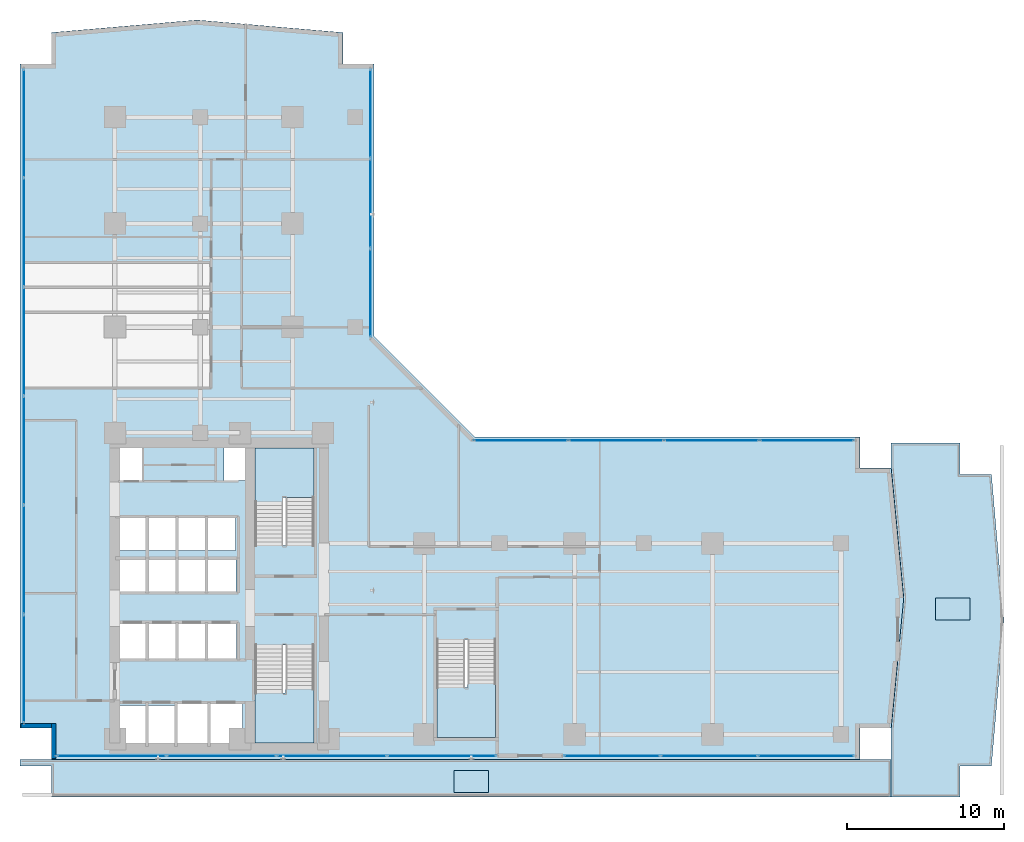
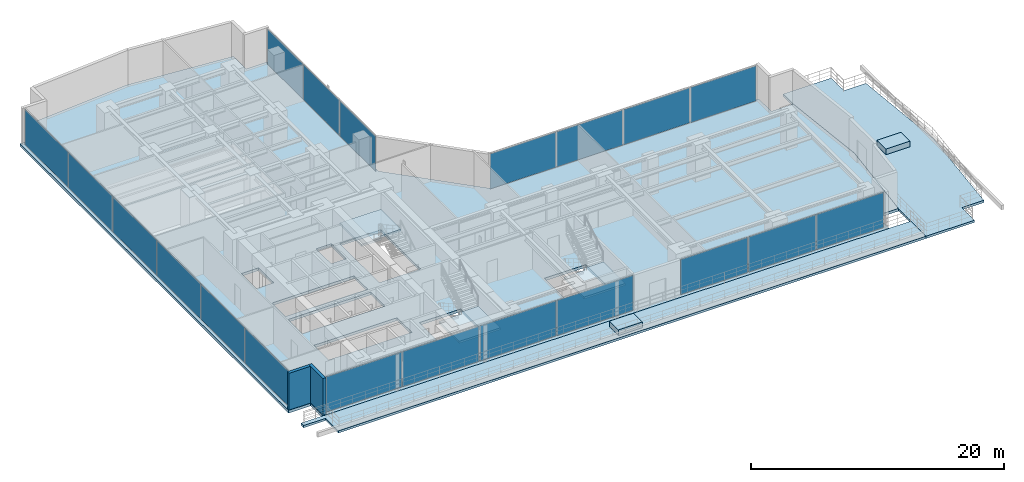
# One storey, part 17 of 26: 20 plates, 8 slabs, 2 walls, 8 elements without a shape of their own.
"""IFC4 building model written with IfcOpenShell, lengths in metres."""

from ifc_helpers import new_model, si_unit, direction, frame, frame_2d, origin, origin_with_axes, origin_2d, place, context, subcontext, project, spatial, polyline, rectangle, outline, extrude, source, transform, mapped, material, layer, layer_set, type_object, element, aggregate, save


model = new_model("IFC4")

# Units and contexts
model_context = context("Model", 3, precision=1e-05, world=origin(), true_north=direction((0.0, 1.0)))
body_context = subcontext(model_context, "Body", "Model", "MODEL_VIEW")
ifc_project = project(units=[si_unit("LENGTHUNIT", "METRE"), si_unit("AREAUNIT", "SQUARE_METRE"), si_unit("VOLUMEUNIT", "CUBIC_METRE"), si_unit("PLANEANGLEUNIT", "RADIAN"), si_unit("MASSUNIT", "GRAM", prefix="KILO")], contexts=[model_context])

# Site, building, storey
site_placement = place(None, origin())
site = spatial("IfcSite", under=ifc_project, at=site_placement, CompositionType="ELEMENT")
building_placement = place(site_placement, origin())
building = spatial("IfcBuilding", under=site, at=building_placement, Name="Kolvaren Waterfront Exchange", CompositionType="ELEMENT")
storey_placement = place(building_placement, frame((0.0, 0.0, 87.89990234375)))
storey = spatial("IfcBuildingStorey", under=building, at=storey_placement, Name="L22", CompositionType="ELEMENT", Elevation=87.89990234375)

# Stair, slab
ifc_material_1 = material(Name="Concrete C40/50", Category="concrete")
stair_type = type_object("IfcStairType", Name="ARC-STAIR-3800", PredefinedType="HALF_TURN_STAIR", material=ifc_material_1)
stair_1_placement = place(storey_placement, origin())
stair_1 = element("IfcStair", 1, at=stair_1_placement, inside=storey, type_object=stair_type, Name="L22 Smoke-proof exit stair ST1", PredefinedType="HALF_TURN_STAIR")
ifc_layer_1 = layer(ifc_material_1, 0.199951171875, Name="Concrete C40/50")
ifc_layer_set_1 = layer_set([ifc_layer_1], Name="Concrete C40/50")
slab_type_1 = type_object("IfcSlabType", Name="STR-LANDING-200", PredefinedType="LANDING", material=ifc_layer_set_1)
slab_1_placement = place(storey_placement, frame((0.0, 0.0, 1.776123046875)))
slab_1 = element("IfcSlab", 2, at=slab_1_placement, type_object=slab_type_1, Name="ST1 landing 1", PredefinedType="LANDING", context=body_context, shape_type="SweptSolid", body=[
    extrude(outline(polyline([(16.39990234375, 7.840087890625), (16.39990234375, 4.64990234375), (20.159912109375, 4.64990234375), (20.159912109375, 8.10009765625), (18.360107421875, 8.10009765625), (18.360107421875, 7.840087890625), (16.39990234375, 7.840087890625)])), origin(), (0.0, 0.0, 1.0), 0.199951171875),
])
aggregate(stair_1, [slab_1])

stair_2_placement = place(storey_placement, origin())
stair_2 = element("IfcStair", 3, at=stair_2_placement, inside=storey, type_object=stair_type, Name="L22 Smoke-proof exit stair ST2", PredefinedType="HALF_TURN_STAIR")
slab_2_placement = place(storey_placement, frame((0.0, 0.0, 1.776123046875)))
slab_2 = element("IfcSlab", 4, at=slab_2_placement, type_object=slab_type_1, Name="ST2 landing 1", PredefinedType="LANDING", context=body_context, shape_type="SweptSolid", body=[
    extrude(outline(polyline([(20.159912109375, 20.31005859375), (20.159912109375, 23.5), (16.39990234375, 23.5), (16.39990234375, 20.050048828125), (18.199951171875, 20.050048828125), (18.199951171875, 20.31005859375), (20.159912109375, 20.31005859375)])), origin(), (0.0, 0.0, 1.0), 0.199951171875),
])
aggregate(stair_2, [slab_2])

stair_3_placement = place(storey_placement, origin())
stair_3 = element("IfcStair", 5, at=stair_3_placement, inside=storey, type_object=stair_type, Name="L22 Exit stair ST3", PredefinedType="HALF_TURN_STAIR")
slab_3_placement = place(storey_placement, frame((0.0, 0.0, 1.776123046875)))
slab_3 = element("IfcSlab", 6, at=slab_3_placement, type_object=slab_type_1, Name="ST3 landing 1", PredefinedType="LANDING", context=body_context, shape_type="SweptSolid", body=[
    extrude(outline(polyline([(28.0, 8.18994140625), (28.0, 5.0), (31.760009765625, 5.0), (31.760009765625, 8.449951171875), (29.9599609375, 8.449951171875), (29.9599609375, 8.18994140625), (28.0, 8.18994140625)])), origin(), (0.0, 0.0, 1.0), 0.199951171875),
])
aggregate(stair_3, [slab_3])

# Slabs
ifc_material_2 = material(Name="Precast concrete C40/50", Category="concrete")
ifc_layer_2 = layer(ifc_material_2, 0.159912109375, Name="Precast concrete C40/50")
ifc_layer_set_2 = layer_set([ifc_layer_2], Name="Precast concrete C40/50")
slab_type_2 = type_object("IfcSlabType", Name="STR-PLANTER-160", PredefinedType="USERDEFINED", material=ifc_layer_set_2)
slab_4_placement = place(storey_placement, origin())
element("IfcSlab", 7, at=slab_4_placement, inside=storey, type_object=slab_type_2, Name="L22 planted sky-garden structural planter 1", ObjectType="PLANTER", PredefinedType="USERDEFINED", context=body_context, shape_type="SweptSolid", body=[
    extrude(outline(polyline([(59.8359375, 12.5), (62.035888671875, 12.5), (62.035888671875, 13.89990234375), (59.8359375, 13.89990234375), (59.8359375, 12.5)])), origin(), (0.0, 0.0, 1.0), 0.550048828125),
])
slab_5_placement = place(storey_placement, origin())
element("IfcSlab", 8, at=slab_5_placement, inside=storey, type_object=slab_type_2, Name="L22 planted sky-garden structural planter 2", ObjectType="PLANTER", PredefinedType="USERDEFINED", context=body_context, shape_type="SweptSolid", body=[
    extrude(outline(polyline([(29.094970703125, 1.5), (31.294921875, 1.5), (31.294921875, 2.89990234375), (29.094970703125, 2.89990234375), (29.094970703125, 1.5)])), origin(), (0.0, 0.0, 1.0), 0.550048828125),
])
ifc_layer_3 = layer(ifc_material_1, 0.260009765625, Name="Concrete C40/50")
ifc_layer_set_3 = layer_set([ifc_layer_3], Name="Concrete C40/50")
slab_type_3 = type_object("IfcSlabType", Name="STR-SLAB-260", PredefinedType="FLOOR", material=ifc_layer_set_3)
slab_6_placement = place(storey_placement, frame((0.0, 0.0, -0.260009765625)))
element("IfcSlab", 9, at=slab_6_placement, inside=storey, type_object=slab_type_3, Name="L22 structural floor slab", PredefinedType="FLOOR", context=body_context, shape_type="SweptSolid", body=[
    extrude(outline(polyline([(3.39990234375, 3.60009765625), (55.0, 3.60009765625), (55.0, 5.60009765625), (57.0, 5.60009765625), (57.800048828125, 13.89990234375), (57.0, 22.199951171875), (55.0, 22.199951171875), (55.0, 24.199951171875), (30.39990234375, 24.199951171875), (24.0, 30.60009765625), (24.0, 48.0), (22.0, 48.0), (22.0, 50.0), (12.699951171875, 50.800048828125), (3.39990234375, 50.0), (3.39990234375, 48.0), (1.39990234375, 48.0), (1.39990234375, 5.60009765625), (3.39990234375, 5.60009765625), (3.39990234375, 3.60009765625)]), holes=[polyline([(11.320068359375, 7.260009765625), (15.610107421875, 7.260009765625), (15.610107421875, 4.5400390625), (7.719970703125, 4.5400390625), (7.719970703125, 7.06005859375), (11.320068359375, 7.06005859375), (11.320068359375, 7.260009765625)]), polyline([(20.159912109375, 4.64990234375), (16.39990234375, 4.64990234375), (16.39990234375, 10.89990234375), (20.159912109375, 10.89990234375), (20.159912109375, 4.64990234375)]), polyline([(31.760009765625, 5.0), (28.0, 5.0), (28.0, 11.25), (31.760009765625, 11.25), (31.760009765625, 5.0)]), polyline([(15.2099609375, 10.0400390625), (7.6201171875, 10.0400390625), (7.6201171875, 12.360107421875), (15.2099609375, 12.360107421875), (15.2099609375, 10.0400390625)]), polyline([(7.64501953125, 16.4599609375), (15.18505859375, 16.4599609375), (15.18505859375, 14.239990234375), (7.64501953125, 14.239990234375), (7.64501953125, 16.4599609375)]), polyline([(15.159912109375, 16.93994140625), (7.669921875, 16.93994140625), (7.669921875, 19.06005859375), (15.159912109375, 19.06005859375), (15.159912109375, 16.93994140625)]), polyline([(16.39990234375, 23.5), (20.159912109375, 23.5), (20.159912109375, 17.25), (16.39990234375, 17.25), (16.39990234375, 23.5)]), polyline([(7.60009765625, 23.780029296875), (9.179931640625, 23.780029296875), (9.179931640625, 21.419921875), (7.60009765625, 21.419921875), (7.60009765625, 23.780029296875)]), polyline([(15.800048828125, 23.780029296875), (15.800048828125, 21.419921875), (14.419921875, 21.419921875), (14.419921875, 23.780029296875), (15.800048828125, 23.780029296875)])]), origin(), (0.0, 0.0, 1.0), 0.260009765625),
])
ifc_layer_4 = layer(ifc_material_1, 0.219970703125, Name="Concrete C40/50")
ifc_layer_set_4 = layer_set([ifc_layer_4], Name="Concrete C40/50")
slab_type_4 = type_object("IfcSlabType", Name="STR-TERR-220", PredefinedType="FLOOR", material=ifc_layer_set_4)
slab_7_placement = place(storey_placement, frame((0.0, 0.0, -0.219970703125)))
element("IfcSlab", 10, at=slab_7_placement, inside=storey, type_object=slab_type_4, Name="L22 east planted sky-garden terrace slab 1", PredefinedType="FLOOR", context=body_context, shape_type="SweptSolid", body=[
    extrude(outline(polyline([(61.39990234375, 21.800048828125), (63.39990234375, 21.800048828125), (64.199951171875, 12.5), (63.39990234375, 3.199951171875), (61.39990234375, 3.199951171875), (61.39990234375, 1.199951171875), (56.989990234375, 1.199951171875), (56.989990234375, 5.60009765625), (57.0, 5.60009765625), (57.800048828125, 13.89990234375), (57.0, 22.199951171875), (56.989990234375, 22.199951171875), (56.989990234375, 23.800048828125), (61.39990234375, 23.800048828125), (61.39990234375, 21.800048828125)])), origin(), (0.0, 0.0, 1.0), 0.219970703125),
])
slab_8_placement = place(storey_placement, frame((0.0, 0.0, -0.219970703125)))
element("IfcSlab", 11, at=slab_8_placement, inside=storey, type_object=slab_type_4, Name="L22 south planted sky-garden terrace slab 2", PredefinedType="FLOOR", context=body_context, shape_type="SweptSolid", body=[
    extrude(outline(polyline([(3.39990234375, 1.199951171875), (3.39990234375, 3.199951171875), (1.39990234375, 3.199951171875), (1.39990234375, 3.610107421875), (3.39990234375, 3.610107421875), (3.39990234375, 3.60009765625), (55.0, 3.60009765625), (55.0, 3.610107421875), (56.989990234375, 3.610107421875), (56.989990234375, 1.199951171875), (3.39990234375, 1.199951171875)])), origin(), (0.0, 0.0, 1.0), 0.219970703125),
])

# Curtain wall, plates
ifc_material_3 = material(Name="Anodised bronze aluminium 6063-T6", Category="aluminium")
ifc_layer_5 = layer(ifc_material_3, 0.219970703125, Name="Anodised bronze aluminium 6063-T6")
ifc_layer_set_5 = layer_set([ifc_layer_5], Name="Anodised bronze aluminium 6063-T6")
curtain_wall_type_1 = type_object("IfcCurtainWallType", Name="ARC-CW-SYS1", PredefinedType="USERDEFINED", material=ifc_layer_set_5)
curtain_wall_1_placement = place(storey_placement, origin())
curtain_wall_1 = element("IfcCurtainWall", 12, at=curtain_wall_1_placement, inside=storey, type_object=curtain_wall_type_1, Name="L22 stick curtain wall CW1 (CW-L22-S-1)", ObjectType="STICK CURTAIN WALL", PredefinedType="USERDEFINED")
ifc_material_4 = material(Name="Bronze solar control vision glass", Category="aluminium")
ifc_layer_6 = layer(ifc_material_4, 0.028076171875, Name="Bronze solar control vision glass")
ifc_layer_set_6 = layer_set([ifc_layer_6], Name="Bronze solar control vision glass")
plate_type_1 = type_object("IfcPlateType", Name="ARC-CWP-28", PredefinedType="CURTAIN_PANEL", material=ifc_layer_set_6)
shared_shape_1 = source(origin_with_axes(), body_context, "Body", "SweptSolid", [
    extrude(rectangle(XDim=6.919921875, YDim=0.028076171875, at=origin_2d()), origin(), (0.0, 0.0, 1.0), 3.389892578125),
])
plate_1_placement = place(storey_placement, frame((7.239990234375, 3.840087890625, 0.0751953125), z_axis=(0.0, 0.0, 1.0), x_axis=(1.0, 0.0, 0.0)))
plate_1 = element("IfcPlate", 13, at=plate_1_placement, type_object=plate_type_1, Name="CW1 panel 1.1", PredefinedType="CURTAIN_PANEL", context=body_context, shape_type="MappedRepresentation", body=[
    mapped(shared_shape_1, transform((0.0, 0.0, 0.0), x_axis=(1.0, 0.0, 0.0), y_axis=(0.0, 1.0, 0.0), z_axis=(0.0, 0.0, 1.0), scale=1.0)),
])
plate_2_placement = place(storey_placement, frame((28.320068359375, 3.840087890625, 0.0751953125), z_axis=(0.0, 0.0, 1.0), x_axis=(1.0, 0.0, 0.0)))
plate_2 = element("IfcPlate", 14, at=plate_2_placement, type_object=plate_type_1, Name="CW1 panel 4.1", PredefinedType="CURTAIN_PANEL", context=body_context, shape_type="MappedRepresentation", body=[
    mapped(shared_shape_1, transform((0.0, 0.0, 0.0), x_axis=(1.0, 0.0, 0.0), y_axis=(0.0, 1.0, 0.0), z_axis=(0.0, 0.0, 1.0), scale=1.0)),
])
shared_shape_2 = source(origin_with_axes(), body_context, "Body", "SweptSolid", [
    extrude(rectangle(XDim=6.9599609375, YDim=0.028076171875, at=origin_2d()), origin(), (0.0, 0.0, 1.0), 3.389892578125),
])
plate_3_placement = place(storey_placement, frame((14.260009765625, 3.840087890625, 0.0751953125), z_axis=(0.0, 0.0, 1.0), x_axis=(1.0, 0.0, 0.0)))
plate_3 = element("IfcPlate", 15, at=plate_3_placement, type_object=plate_type_1, Name="CW1 panel 2.1", PredefinedType="CURTAIN_PANEL", context=body_context, shape_type="MappedRepresentation", body=[
    mapped(shared_shape_2, transform((0.0, 0.0, 0.0), x_axis=(1.0, 0.0, 0.0), y_axis=(0.0, 1.0, 0.0), z_axis=(0.0, 0.0, 1.0), scale=1.0)),
])
plate_4_placement = place(storey_placement, frame((21.300048828125, 3.840087890625, 0.0751953125), z_axis=(0.0, 0.0, 1.0), x_axis=(1.0, 0.0, 0.0)))
plate_4 = element("IfcPlate", 16, at=plate_4_placement, type_object=plate_type_1, Name="CW1 panel 3.1", PredefinedType="CURTAIN_PANEL", context=body_context, shape_type="MappedRepresentation", body=[
    mapped(shared_shape_2, transform((0.0, 0.0, 0.0), x_axis=(1.0, 0.0, 0.0), y_axis=(0.0, 1.0, 0.0), z_axis=(0.0, 0.0, 1.0), scale=1.0)),
])
aggregate(curtain_wall_1, [plate_1, plate_3, plate_4, plate_2])

curtain_wall_2_placement = place(storey_placement, origin())
curtain_wall_2 = element("IfcCurtainWall", 17, at=curtain_wall_2_placement, inside=storey, type_object=curtain_wall_type_1, Name="L22 stick curtain wall CW1 (CW-L22-S-2)", ObjectType="STICK CURTAIN WALL", PredefinedType="USERDEFINED")
shared_shape_3 = source(origin_with_axes(), body_context, "Body", "SweptSolid", [
    extrude(rectangle(XDim=6.0966796875, YDim=0.028076171875, at=origin_2d()), origin(), (0.0, 0.0, 1.0), 3.389892578125),
])
plate_5_placement = place(storey_placement, frame((39.17822265625, 3.840087890625, 0.0751953125), z_axis=(0.0, 0.0, 1.0), x_axis=(1.0, 0.0, 0.0)))
plate_5 = element("IfcPlate", 18, at=plate_5_placement, type_object=plate_type_1, Name="CW1 panel 1.1", PredefinedType="CURTAIN_PANEL", context=body_context, shape_type="MappedRepresentation", body=[
    mapped(shared_shape_3, transform((0.0, 0.0, 0.0), x_axis=(1.0, 0.0, 0.0), y_axis=(0.0, 1.0, 0.0), z_axis=(0.0, 0.0, 1.0), scale=1.0)),
])
plate_6_placement = place(storey_placement, frame((51.57177734375, 3.840087890625, 0.0751953125), z_axis=(0.0, 0.0, 1.0), x_axis=(1.0, 0.0, 0.0)))
plate_6 = element("IfcPlate", 19, at=plate_6_placement, type_object=plate_type_1, Name="CW1 panel 3.1", PredefinedType="CURTAIN_PANEL", context=body_context, shape_type="MappedRepresentation", body=[
    mapped(shared_shape_3, transform((0.0, 0.0, 0.0), x_axis=(1.0, 0.0, 0.0), y_axis=(0.0, 1.0, 0.0), z_axis=(0.0, 0.0, 1.0), scale=1.0)),
])
shared_shape_4 = source(origin_with_axes(), body_context, "Body", "SweptSolid", [
    extrude(rectangle(XDim=6.13671875, YDim=0.028076171875, at=origin_2d()), origin(), (0.0, 0.0, 1.0), 3.389892578125),
])
plate_7_placement = place(storey_placement, frame((45.375, 3.840087890625, 0.0751953125), z_axis=(0.0, 0.0, 1.0), x_axis=(1.0, 0.0, 0.0)))
plate_7 = element("IfcPlate", 20, at=plate_7_placement, type_object=plate_type_1, Name="CW1 panel 2.1", PredefinedType="CURTAIN_PANEL", context=body_context, shape_type="MappedRepresentation", body=[
    mapped(shared_shape_4, transform((0.0, 0.0, 0.0), x_axis=(1.0, 0.0, 0.0), y_axis=(0.0, 1.0, 0.0), z_axis=(0.0, 0.0, 1.0), scale=1.0)),
])
aggregate(curtain_wall_2, [plate_5, plate_7, plate_6])

ifc_material_5 = material(Name="Anodised aluminium 6063-T6", Category="aluminium")
ifc_layer_7 = layer(ifc_material_5, 0.219970703125, Name="Anodised aluminium 6063-T6")
ifc_layer_set_7 = layer_set([ifc_layer_7], Name="Anodised aluminium 6063-T6")
curtain_wall_type_2 = type_object("IfcCurtainWallType", Name="ARC-CW-SYS2", PredefinedType="USERDEFINED", material=ifc_layer_set_7)
curtain_wall_3_placement = place(storey_placement, origin())
curtain_wall_3 = element("IfcCurtainWall", 21, at=curtain_wall_3_placement, inside=storey, type_object=curtain_wall_type_2, Name="L22 stick curtain wall CW2 (CW-L22-W)", ObjectType="STICK CURTAIN WALL", PredefinedType="USERDEFINED")
ifc_material_6 = material(Name="Acoustic laminated vision glass", Category="glass")
ifc_layer_8 = layer(ifc_material_6, 0.031982421875, Name="Acoustic laminated vision glass")
ifc_layer_set_8 = layer_set([ifc_layer_8], Name="Acoustic laminated vision glass")
plate_type_2 = type_object("IfcPlateType", Name="ARC-CWP-32", PredefinedType="CURTAIN_PANEL", material=ifc_layer_set_8)
shared_shape_5 = source(origin_with_axes(), body_context, "Body", "SweptSolid", [
    extrude(rectangle(XDim=6.8466796875, YDim=0.031982421875, at=origin_2d()), origin(), (0.0, 0.0, 1.0), 3.389892578125),
])
plate_8_placement = place(storey_placement, frame((1.639892578125, 9.4033203125, 0.0751953125), z_axis=(0.0, 0.0, 1.0), x_axis=(0.0, 1.0, 0.0)))
plate_8 = element("IfcPlate", 22, at=plate_8_placement, type_object=plate_type_2, Name="CW2 panel 1.1", PredefinedType="CURTAIN_PANEL", context=body_context, shape_type="MappedRepresentation", body=[
    mapped(shared_shape_5, transform((0.0, 0.0, 0.0), x_axis=(1.0, 0.0, 0.0), y_axis=(0.0, 1.0, 0.0), z_axis=(0.0, 0.0, 1.0), scale=1.0)),
])
plate_9_placement = place(storey_placement, frame((1.639892578125, 44.19677734375, 0.0751953125), z_axis=(0.0, 0.0, 1.0), x_axis=(0.0, 1.0, 0.0)))
plate_9 = element("IfcPlate", 23, at=plate_9_placement, type_object=plate_type_2, Name="CW2 panel 6.1", PredefinedType="CURTAIN_PANEL", context=body_context, shape_type="MappedRepresentation", body=[
    mapped(shared_shape_5, transform((0.0, 0.0, 0.0), x_axis=(1.0, 0.0, 0.0), y_axis=(0.0, 1.0, 0.0), z_axis=(0.0, 0.0, 1.0), scale=1.0)),
])
shared_shape_6 = source(origin_with_axes(), body_context, "Body", "SweptSolid", [
    extrude(rectangle(XDim=6.88671875, YDim=0.031982421875, at=origin_2d()), origin(), (0.0, 0.0, 1.0), 3.389892578125),
])
plate_10_placement = place(storey_placement, frame((1.639892578125, 16.35009765625, 0.0751953125), z_axis=(0.0, 0.0, 1.0), x_axis=(0.0, 1.0, 0.0)))
plate_10 = element("IfcPlate", 24, at=plate_10_placement, type_object=plate_type_2, Name="CW2 panel 2.1", PredefinedType="CURTAIN_PANEL", context=body_context, shape_type="MappedRepresentation", body=[
    mapped(shared_shape_6, transform((0.0, 0.0, 0.0), x_axis=(1.0, 0.0, 0.0), y_axis=(0.0, 1.0, 0.0), z_axis=(0.0, 0.0, 1.0), scale=1.0)),
])
plate_11_placement = place(storey_placement, frame((1.639892578125, 23.316650390625, 0.0751953125), z_axis=(0.0, 0.0, 1.0), x_axis=(0.0, 1.0, 0.0)))
plate_11 = element("IfcPlate", 25, at=plate_11_placement, type_object=plate_type_2, Name="CW2 panel 3.1", PredefinedType="CURTAIN_PANEL", context=body_context, shape_type="MappedRepresentation", body=[
    mapped(shared_shape_6, transform((0.0, 0.0, 0.0), x_axis=(1.0, 0.0, 0.0), y_axis=(0.0, 1.0, 0.0), z_axis=(0.0, 0.0, 1.0), scale=1.0)),
])
plate_12_placement = place(storey_placement, frame((1.639892578125, 30.283447265625, 0.0751953125), z_axis=(0.0, 0.0, 1.0), x_axis=(0.0, 1.0, 0.0)))
plate_12 = element("IfcPlate", 26, at=plate_12_placement, type_object=plate_type_2, Name="CW2 panel 4.1", PredefinedType="CURTAIN_PANEL", context=body_context, shape_type="MappedRepresentation", body=[
    mapped(shared_shape_6, transform((0.0, 0.0, 0.0), x_axis=(1.0, 0.0, 0.0), y_axis=(0.0, 1.0, 0.0), z_axis=(0.0, 0.0, 1.0), scale=1.0)),
])
plate_13_placement = place(storey_placement, frame((1.639892578125, 37.25, 0.0751953125), z_axis=(0.0, 0.0, 1.0), x_axis=(0.0, 1.0, 0.0)))
plate_13 = element("IfcPlate", 27, at=plate_13_placement, type_object=plate_type_2, Name="CW2 panel 5.1", PredefinedType="CURTAIN_PANEL", context=body_context, shape_type="MappedRepresentation", body=[
    mapped(shared_shape_6, transform((0.0, 0.0, 0.0), x_axis=(1.0, 0.0, 0.0), y_axis=(0.0, 1.0, 0.0), z_axis=(0.0, 0.0, 1.0), scale=1.0)),
])
aggregate(curtain_wall_3, [plate_8, plate_10, plate_11, plate_12, plate_13, plate_9])

curtain_wall_4_placement = place(storey_placement, origin())
curtain_wall_4 = element("IfcCurtainWall", 28, at=curtain_wall_4_placement, inside=storey, type_object=curtain_wall_type_1, Name="L22 stick curtain wall CW1 (CW-L22-NE)", ObjectType="STICK CURTAIN WALL", PredefinedType="USERDEFINED")
shared_shape_7 = source(origin_with_axes(), body_context, "Body", "SweptSolid", [
    extrude(rectangle(XDim=5.61669921875, YDim=0.028076171875, at=origin_2d()), origin(), (0.0, 0.0, 1.0), 3.389892578125),
])
plate_14_placement = place(storey_placement, frame((23.760009765625, 33.37841796875, 0.0751953125), z_axis=(0.0, 0.0, 1.0), x_axis=(0.0, 1.0, 0.0)))
plate_14 = element("IfcPlate", 29, at=plate_14_placement, type_object=plate_type_1, Name="CW1 panel 1.1", PredefinedType="CURTAIN_PANEL", context=body_context, shape_type="MappedRepresentation", body=[
    mapped(shared_shape_7, transform((0.0, 0.0, 0.0), x_axis=(1.0, 0.0, 0.0), y_axis=(0.0, 1.0, 0.0), z_axis=(0.0, 0.0, 1.0), scale=1.0)),
])
plate_15_placement = place(storey_placement, frame((23.760009765625, 44.811767578125, 0.0751953125), z_axis=(0.0, 0.0, 1.0), x_axis=(0.0, 1.0, 0.0)))
plate_15 = element("IfcPlate", 30, at=plate_15_placement, type_object=plate_type_1, Name="CW1 panel 3.1", PredefinedType="CURTAIN_PANEL", context=body_context, shape_type="MappedRepresentation", body=[
    mapped(shared_shape_7, transform((0.0, 0.0, 0.0), x_axis=(1.0, 0.0, 0.0), y_axis=(0.0, 1.0, 0.0), z_axis=(0.0, 0.0, 1.0), scale=1.0)),
])
shared_shape_8 = source(origin_with_axes(), body_context, "Body", "SweptSolid", [
    extrude(rectangle(XDim=5.65673828125, YDim=0.028076171875, at=origin_2d()), origin(), (0.0, 0.0, 1.0), 3.389892578125),
])
plate_16_placement = place(storey_placement, frame((23.760009765625, 39.094970703125, 0.0751953125), z_axis=(0.0, 0.0, 1.0), x_axis=(0.0, 1.0, 0.0)))
plate_16 = element("IfcPlate", 31, at=plate_16_placement, type_object=plate_type_1, Name="CW1 panel 2.1", PredefinedType="CURTAIN_PANEL", context=body_context, shape_type="MappedRepresentation", body=[
    mapped(shared_shape_8, transform((0.0, 0.0, 0.0), x_axis=(1.0, 0.0, 0.0), y_axis=(0.0, 1.0, 0.0), z_axis=(0.0, 0.0, 1.0), scale=1.0)),
])
aggregate(curtain_wall_4, [plate_14, plate_16, plate_15])

curtain_wall_5_placement = place(storey_placement, origin())
curtain_wall_5 = element("IfcCurtainWall", 32, at=curtain_wall_5_placement, inside=storey, type_object=curtain_wall_type_1, Name="L22 stick curtain wall CW1 (CW-L22-EN)", ObjectType="STICK CURTAIN WALL", PredefinedType="USERDEFINED")
shared_shape_9 = source(origin_with_axes(), body_context, "Body", "SweptSolid", [
    extrude(rectangle(XDim=5.982421875, YDim=0.028076171875, at=origin_2d()), origin(), (0.0, 0.0, 1.0), 3.389892578125),
])
plate_17_placement = place(storey_placement, frame((33.361328125, 23.9599609375, 0.0751953125), z_axis=(0.0, 0.0, 1.0), x_axis=(1.0, 0.0, 0.0)))
plate_17 = element("IfcPlate", 33, at=plate_17_placement, type_object=plate_type_1, Name="CW1 panel 1.1", PredefinedType="CURTAIN_PANEL", context=body_context, shape_type="MappedRepresentation", body=[
    mapped(shared_shape_9, transform((0.0, 0.0, 0.0), x_axis=(1.0, 0.0, 0.0), y_axis=(0.0, 1.0, 0.0), z_axis=(0.0, 0.0, 1.0), scale=1.0)),
])
plate_18_placement = place(storey_placement, frame((51.628662109375, 23.9599609375, 0.0751953125), z_axis=(0.0, 0.0, 1.0), x_axis=(1.0, 0.0, 0.0)))
plate_18 = element("IfcPlate", 34, at=plate_18_placement, type_object=plate_type_1, Name="CW1 panel 4.1", PredefinedType="CURTAIN_PANEL", context=body_context, shape_type="MappedRepresentation", body=[
    mapped(shared_shape_9, transform((0.0, 0.0, 0.0), x_axis=(1.0, 0.0, 0.0), y_axis=(0.0, 1.0, 0.0), z_axis=(0.0, 0.0, 1.0), scale=1.0)),
])
shared_shape_10 = source(origin_with_axes(), body_context, "Body", "SweptSolid", [
    extrude(rectangle(XDim=6.0224609375, YDim=0.028076171875, at=origin_2d()), origin(), (0.0, 0.0, 1.0), 3.389892578125),
])
plate_19_placement = place(storey_placement, frame((39.44384765625, 23.9599609375, 0.0751953125), z_axis=(0.0, 0.0, 1.0), x_axis=(1.0, 0.0, 0.0)))
plate_19 = element("IfcPlate", 35, at=plate_19_placement, type_object=plate_type_1, Name="CW1 panel 2.1", PredefinedType="CURTAIN_PANEL", context=body_context, shape_type="MappedRepresentation", body=[
    mapped(shared_shape_10, transform((0.0, 0.0, 0.0), x_axis=(1.0, 0.0, 0.0), y_axis=(0.0, 1.0, 0.0), z_axis=(0.0, 0.0, 1.0), scale=1.0)),
])
plate_20_placement = place(storey_placement, frame((45.546142578125, 23.9599609375, 0.0751953125), z_axis=(0.0, 0.0, 1.0), x_axis=(1.0, 0.0, 0.0)))
plate_20 = element("IfcPlate", 36, at=plate_20_placement, type_object=plate_type_1, Name="CW1 panel 3.1", PredefinedType="CURTAIN_PANEL", context=body_context, shape_type="MappedRepresentation", body=[
    mapped(shared_shape_10, transform((0.0, 0.0, 0.0), x_axis=(1.0, 0.0, 0.0), y_axis=(0.0, 1.0, 0.0), z_axis=(0.0, 0.0, 1.0), scale=1.0)),
])
aggregate(curtain_wall_5, [plate_17, plate_19, plate_20, plate_18])

# Walls
ifc_layer_9 = layer(ifc_material_2, 0.280029296875, Name="Precast concrete C40/50")
ifc_layer_set_9 = layer_set([ifc_layer_9], Name="Precast concrete C40/50")
wall_type = type_object("IfcWallType", Name="ARC-EXT-TERR-280", PredefinedType="SOLIDWALL", material=ifc_layer_set_9)
wall_1_placement = place(storey_placement, frame((3.56005859375, 3.659912109375, 0.0), z_axis=(0.0, 0.0, 1.0), x_axis=(0.0, 1.0, 0.0)))
element("IfcWall", 37, at=wall_1_placement, inside=storey, type_object=wall_type, Name="L22 notched corner spandrel pier SW-A", PredefinedType="SOLIDWALL", context=body_context, shape_type="SweptSolid", body=[
    extrude(rectangle(XDim=2.239990234375, YDim=0.280029296875, at=frame_2d((1.1201171875, 0.0))), origin(), (0.0, 0.0, 1.0), 3.5400390625),
])
wall_2_placement = place(storey_placement, frame((1.4599609375, 5.760009765625, 0.0), z_axis=(0.0, 0.0, 1.0), x_axis=(1.0, 0.0, 0.0)))
element("IfcWall", 38, at=wall_2_placement, inside=storey, type_object=wall_type, Name="L22 notched corner spandrel pier SW-B", PredefinedType="SOLIDWALL", context=body_context, shape_type="SweptSolid", body=[
    extrude(rectangle(XDim=1.9599609375, YDim=0.280029296875, at=frame_2d((0.97998046875, 0.0))), origin(), (0.0, 0.0, 1.0), 3.5400390625),
])

save(model, "model.ifc")
